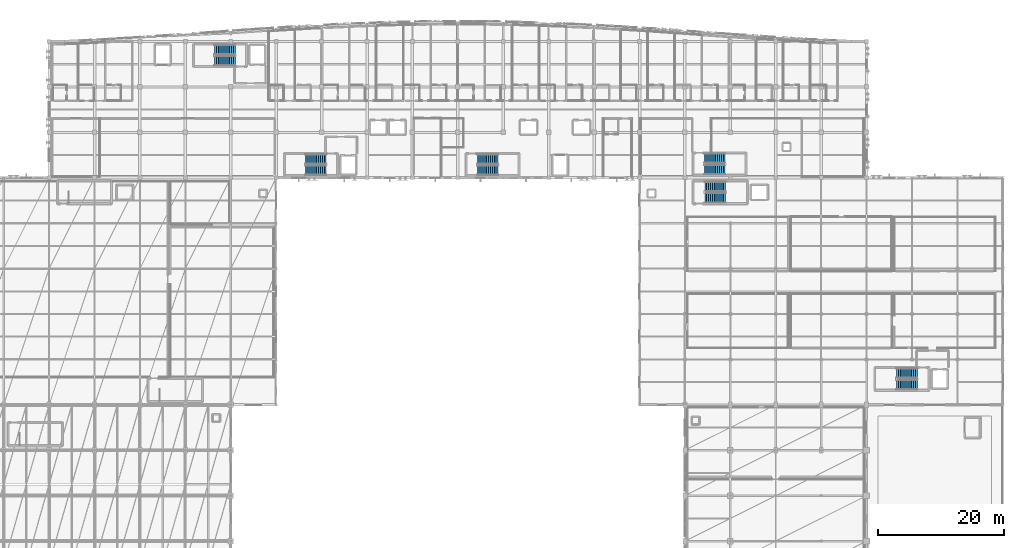
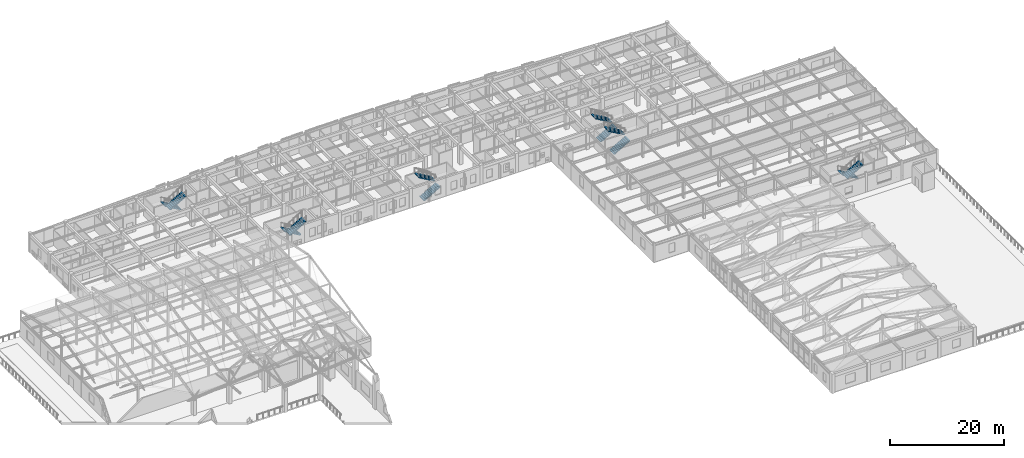
# One storey, part 102 of 113: 12 stair flights, 6 elements without a shape of their own.
"""IFC4 building model written with IfcOpenShell, lengths in metres."""

import ifcopenshell
import ifcopenshell.guid

model = None  # the IFC model being written
_history = None  # IfcOwnerHistory: only IFC2X3 demands one
_inside = {}  # id of a spatial element -> (the spatial element, [elements in it])
_under = {}  # id of a project, library or spatial element -> (it, [spatial elements below it])
_declared = {}  # id of a project -> (the project, [libraries it declares])
_typed = {}  # id of a type object -> (the type object, [elements of that type])
_made_of = {}  # id of a material, layer set ... -> (it, [elements and type objects made of it])


def new_model(schema):
    """Start an empty IFC model of exactly this schema.

    Asked for "IFC4X3", IfcOpenShell would pick the latest addendum, in which some entities
    have other attributes; the version numbers below select the first issue.
    IFC2X3 requires an IfcOwnerHistory on every rooted entity: one is made here for all.
    """
    global model, _history
    if schema == "IFC4X3":
        model = ifcopenshell.file(schema_version=(4, 3, 0, 0))
    else:
        model = ifcopenshell.file(schema=schema)
    _inside.clear()
    _under.clear()
    _declared.clear()
    _typed.clear()
    _made_of.clear()
    _history = None
    if model.schema == "IFC2X3":
        org = make("IfcOrganization", Name="unknown")
        user = make(
            "IfcPersonAndOrganization",
            ThePerson=make("IfcPerson", FamilyName="unknown"),
            TheOrganization=org,
        )
        app = make(
            "IfcApplication",
            ApplicationDeveloper=org,
            Version="unknown",
            ApplicationFullName="unknown",
            ApplicationIdentifier="unknown",
        )
        _history = make(
            "IfcOwnerHistory",
            OwningUser=user,
            OwningApplication=app,
            ChangeAction="ADDED",
            CreationDate=0,
        )
    return model


def make(cls, **values):
    """One entity of the class cls with the attributes given. An attribute that is None is left unset."""
    return model.create_entity(
        cls, **{name: value for name, value in values.items() if value is not None}
    )


def rooted(cls, **values):
    """An entity with a GlobalId (a new one), such as an element, a storey or a relation."""
    return make(cls, GlobalId=ifcopenshell.guid.new(), OwnerHistory=_history, **values)


def si_unit(unit_type, name, prefix=None):
    """IfcSIUnit, for example si_unit("LENGTHUNIT", "METRE", prefix="MILLI")."""
    return make("IfcSIUnit", UnitType=unit_type, Prefix=prefix, Name=name)


def assignment(units):
    """IfcUnitAssignment: the units of a project."""
    return None if units is None else make("IfcUnitAssignment", Units=units)


def point(xyz):
    """IfcCartesianPoint."""
    return None if xyz is None else make("IfcCartesianPoint", Coordinates=xyz)


def direction(xyz):
    """IfcDirection."""
    return None if xyz is None else make("IfcDirection", DirectionRatios=xyz)


def frame(location, z_axis=None, x_axis=None):
    """IfcAxis2Placement3D, a coordinate frame: its origin and axes. An axis left out is left unset."""
    return make(
        "IfcAxis2Placement3D",
        Location=point(location),
        Axis=direction(z_axis),
        RefDirection=direction(x_axis),
    )


def origin():
    """The frame at (0, 0, 0) with its axes left unset."""
    return frame((0.0, 0.0, 0.0))


def place(relative_to, where):
    """IfcLocalPlacement: puts the frame where relative to a parent placement (None: the world)."""
    return make(
        "IfcLocalPlacement", PlacementRelTo=relative_to, RelativePlacement=where
    )


def context(
    kind, dimensions, precision=None, world=None, true_north=None, identifier=None
):
    """IfcGeometricRepresentationContext, for example the 3D "Model" context."""
    return make(
        "IfcGeometricRepresentationContext",
        ContextIdentifier=identifier,
        ContextType=kind,
        CoordinateSpaceDimension=dimensions,
        Precision=precision,
        WorldCoordinateSystem=world,
        TrueNorth=true_north,
    )


def subcontext(parent, identifier, kind, view, scale=None):
    """IfcGeometricRepresentationSubContext, for example "Body" below "Model"."""
    return make(
        "IfcGeometricRepresentationSubContext",
        ContextIdentifier=identifier,
        ContextType=kind,
        ParentContext=parent,
        TargetScale=scale,
        TargetView=view,
    )


def project(units=None, contexts=None):
    """IfcProject with its units and contexts."""
    return rooted(
        "IfcProject",
        Name="project",
        RepresentationContexts=contexts,
        UnitsInContext=assignment(units),
    )


def spatial(cls, under=None, at=None, **own):
    """A site, building, storey or space (cls), placed at a placement, below another one or the project."""
    s = rooted(cls, ObjectPlacement=at, **own)
    if under is not None:
        _under.setdefault(under.id(), (under, []))[1].append(s)
    return s


def polyline(points):
    """IfcPolyline through the points."""
    return make("IfcPolyline", Points=[point(p) for p in points])


def outline(outer, holes=None, kind="AREA"):
    """IfcArbitraryClosedProfileDef: a profile drawn as a closed curve; with holes, ...WithVoids."""
    if holes is None:
        return make("IfcArbitraryClosedProfileDef", ProfileType=kind, OuterCurve=outer)
    return make(
        "IfcArbitraryProfileDefWithVoids",
        ProfileType=kind,
        OuterCurve=outer,
        InnerCurves=holes,
    )


def extrude(swept, where, along, depth):
    """IfcExtrudedAreaSolid: the profile swept, set in the frame where, extruded along a direction by depth."""
    return make(
        "IfcExtrudedAreaSolid",
        SweptArea=swept,
        Position=where,
        ExtrudedDirection=direction(along),
        Depth=depth,
    )


def shape(context_of_items, identifier, shape_type, items):
    """IfcShapeRepresentation: the items that make up one representation, for example the "Body"."""
    return make(
        "IfcShapeRepresentation",
        ContextOfItems=context_of_items,
        RepresentationIdentifier=identifier,
        RepresentationType=shape_type,
        Items=items,
    )


def material(Name=None, Category=None):
    """IfcMaterial."""
    return make("IfcMaterial", Name=Name, Category=Category)


def made_of(thing, what):
    """Note that an element or type object is made of a material, layer set ...; save() writes the relation."""
    if what is not None:
        _made_of.setdefault(what.id(), (what, []))[1].append(thing)
    return thing


def type_object(cls, material=None, **own):
    """A type object (cls), such as IfcWallType, which elements share."""
    return made_of(rooted(cls, **own), material)


def element(
    cls,
    number,
    at=None,
    inside=None,
    cuts=None,
    type_object=None,
    material=None,
    context=None,
    identifier="Body",
    shape_type=None,
    held_by="IfcProductDefinitionShape",
    body=None,
    shapes=None,
    **own,
):
    """One element of the class cls, such as IfcWall. Its Tag is "e" and its number.

    at: its placement. inside: the storey or other place that contains it. cuts: it is an
    opening in that element (IfcRelVoidsElement). A single representation is given by context,
    identifier, shape_type and body (its items); several are given by shapes. held_by: the class
    of the entity that holds the representations. save() writes the other relations.
    """
    e = rooted(cls, Tag="e%d" % number, ObjectPlacement=at, **own)
    if body is not None:
        shapes = [shape(context, identifier, shape_type, body)]
    if shapes is not None:
        e.Representation = make(held_by, Representations=shapes)
    if inside is not None:
        _inside.setdefault(inside.id(), (inside, []))[1].append(e)
    if cuts is not None:
        rooted(
            "IfcRelVoidsElement", RelatingBuildingElement=cuts, RelatedOpeningElement=e
        )
    if type_object is not None:
        _typed.setdefault(type_object.id(), (type_object, []))[1].append(e)
    return made_of(e, material)


def aggregate(whole, parts):
    """IfcRelAggregates: a whole, such as a stair, and the parts it consists of."""
    return rooted("IfcRelAggregates", RelatingObject=whole, RelatedObjects=parts)


def save(model, path):
    """Write the relations noted so far, then the file.

    IfcRelAggregates (storeys below a building ...), IfcRelContainedInSpatialStructure (elements
    in a storey), IfcRelDefinesByType, IfcRelAssociatesMaterial and IfcRelDeclares: one each for
    every whole, place, type object, material and project.
    """
    for whole, parts in _under.values():
        aggregate(whole, parts)
    for where, things in _inside.values():
        rooted(
            "IfcRelContainedInSpatialStructure",
            RelatedElements=things,
            RelatingStructure=where,
        )
    for kind, things in _typed.values():
        rooted("IfcRelDefinesByType", RelatedObjects=things, RelatingType=kind)
    for what, things in _made_of.values():
        rooted("IfcRelAssociatesMaterial", RelatedObjects=things, RelatingMaterial=what)
    for by, libraries in _declared.values():
        rooted("IfcRelDeclares", RelatingContext=by, RelatedDefinitions=libraries)
    model.write(path)


model = new_model("IFC4")

# Units and contexts
model_context = context("Model", 3, precision=1e-05, world=origin(), true_north=direction((0.0, 1.0)))
body_context = subcontext(model_context, "Body", "Model", "MODEL_VIEW")
ifc_project = project(units=[si_unit("LENGTHUNIT", "METRE"), si_unit("AREAUNIT", "SQUARE_METRE"), si_unit("VOLUMEUNIT", "CUBIC_METRE"), si_unit("PLANEANGLEUNIT", "RADIAN"), si_unit("MASSUNIT", "GRAM", prefix="KILO")], contexts=[model_context])

# Site, building, storey
site_placement = place(None, origin())
site = spatial("IfcSite", under=ifc_project, at=site_placement, CompositionType="ELEMENT")
building_placement = place(site_placement, origin())
building = spatial("IfcBuilding", under=site, at=building_placement, Name="Carrowvane Square Congress Hotel", CompositionType="ELEMENT")
storey_placement = place(building_placement, frame((0.0, 0.0, 15.0)))
storey = spatial("IfcBuildingStorey", under=building, at=storey_placement, Name="L03", CompositionType="ELEMENT", Elevation=15.0)

# Stair, stair flights
ifc_material_1 = material(Name="Concrete C35/45", Category="concrete")
stair_type_1 = type_object("IfcStairType", Name="STR-DOG-04", PredefinedType="HALF_TURN_STAIR", material=ifc_material_1)
stair_1_placement = place(storey_placement, origin())
stair_1 = element("IfcStair", 1, at=stair_1_placement, inside=storey, type_object=stair_type_1, Name="L03 Core C1 West Hotel Firefighting Stair", PredefinedType="HALF_TURN_STAIR")
ifc_material_2 = material(Name="Concrete C35/45", Category="concrete")
stair_flight_type_1 = type_object("IfcStairFlightType", Name="SFL-STR-04", PredefinedType="STRAIGHT", material=ifc_material_2)
stair_flight_1_placement = place(storey_placement, frame((62.719970703125, 112.110107421875, 0.0), z_axis=(0.0, 0.0, 1.0), x_axis=(-1.0, 0.0, 0.0)))
stair_flight_1 = element("IfcStairFlight", 2, at=stair_flight_1_placement, type_object=stair_flight_type_1, Name="ST1 flight 1", NumberOfRisers=12, NumberOfTreads=11, PredefinedType="STRAIGHT", RiserHeight=0.175, TreadLength=0.3, context=body_context, shape_type="SweptSolid", body=[
    extrude(outline(polyline([(0.0, 0.0), (0.0, 0.175048828125), (0.300048828125, 0.175048828125), (0.300048828125, 0.35009765625), (0.60009765625, 0.35009765625), (0.60009765625, 0.52490234375), (0.89990234375, 0.52490234375), (0.89990234375, 0.699951171875), (1.199951171875, 0.699951171875), (1.199951171875, 0.875), (1.5, 0.875), (1.5, 1.050048828125), (1.800048828125, 1.050048828125), (1.800048828125, 1.22509765625), (2.10009765625, 1.22509765625), (2.10009765625, 1.39990234375), (2.39990234375, 1.39990234375), (2.39990234375, 1.574951171875), (2.699951171875, 1.574951171875), (2.699951171875, 1.75), (3.0, 1.75), (3.0, 1.925048828125), (3.300048828125, 1.925048828125), (3.300048828125, 2.10009765625), (3.300048828125, 1.75146484375), (0.297607421875, 0.0), (0.0, 0.0)])), frame((0.0, 0.7900390625, 0.0), z_axis=(0.0, -1.0, 0.0), x_axis=(1.0, 0.0, 0.0)), (0.0, 0.0, 1.0), 1.580078125),
])
stair_flight_2_placement = place(storey_placement, frame((59.419921875, 110.330078125, 2.10009765625), z_axis=(0.0, 0.0, 1.0), x_axis=(1.0, 0.0, 0.0)))
stair_flight_2 = element("IfcStairFlight", 3, at=stair_flight_2_placement, type_object=stair_flight_type_1, Name="ST1 flight 2", NumberOfRisers=12, NumberOfTreads=11, PredefinedType="STRAIGHT", RiserHeight=0.175, TreadLength=0.3, context=body_context, shape_type="SweptSolid", body=[
    extrude(outline(polyline([(0.0, 0.0), (0.0, 0.175048828125), (0.300048828125, 0.175048828125), (0.300048828125, 0.35009765625), (0.60009765625, 0.35009765625), (0.60009765625, 0.52490234375), (0.89990234375, 0.52490234375), (0.89990234375, 0.699951171875), (1.199951171875, 0.699951171875), (1.199951171875, 0.875), (1.5, 0.875), (1.5, 1.050048828125), (1.800048828125, 1.050048828125), (1.800048828125, 1.22509765625), (2.10009765625, 1.22509765625), (2.10009765625, 1.39990234375), (2.39990234375, 1.39990234375), (2.39990234375, 1.574951171875), (2.699951171875, 1.574951171875), (2.699951171875, 1.75), (3.0, 1.75), (3.0, 1.925048828125), (3.300048828125, 1.925048828125), (3.300048828125, 2.10009765625), (3.300048828125, 1.75146484375), (0.297607421875, 0.0), (0.0, 0.0)])), frame((0.0, 0.7900390625, 0.0), z_axis=(0.0, -1.0, 0.0), x_axis=(1.0, 0.0, 0.0)), (0.0, 0.0, 1.0), 1.580078125),
])
aggregate(stair_1, [stair_flight_1, stair_flight_2])

stair_2_placement = place(storey_placement, origin())
stair_2 = element("IfcStair", 4, at=stair_2_placement, inside=storey, type_object=stair_type_1, Name="L03 Core C2 Central Hotel Firefighting Stair", PredefinedType="HALF_TURN_STAIR")
stair_flight_3_placement = place(storey_placement, frame((77.1201171875, 94.77001953125, 0.0), z_axis=(0.0, 0.0, 1.0), x_axis=(-1.0, 0.0, 0.0)))
stair_flight_3 = element("IfcStairFlight", 5, at=stair_flight_3_placement, type_object=stair_flight_type_1, Name="ST2 flight 1", NumberOfRisers=12, NumberOfTreads=11, PredefinedType="STRAIGHT", RiserHeight=0.175, TreadLength=0.3, context=body_context, shape_type="SweptSolid", body=[
    extrude(outline(polyline([(0.0, 0.0), (0.0, 0.175048828125), (0.300048828125, 0.175048828125), (0.300048828125, 0.35009765625), (0.60009765625, 0.35009765625), (0.60009765625, 0.52490234375), (0.89990234375, 0.52490234375), (0.89990234375, 0.699951171875), (1.199951171875, 0.699951171875), (1.199951171875, 0.875), (1.5, 0.875), (1.5, 1.050048828125), (1.800048828125, 1.050048828125), (1.800048828125, 1.22509765625), (2.10009765625, 1.22509765625), (2.10009765625, 1.39990234375), (2.39990234375, 1.39990234375), (2.39990234375, 1.574951171875), (2.699951171875, 1.574951171875), (2.699951171875, 1.75), (3.0, 1.75), (3.0, 1.925048828125), (3.300048828125, 1.925048828125), (3.300048828125, 2.10009765625), (3.300048828125, 1.75146484375), (0.297607421875, 0.0), (0.0, 0.0)])), frame((0.0, 0.7900390625, 0.0), z_axis=(0.0, -1.0, 0.0), x_axis=(1.0, 0.0, 0.0)), (0.0, 0.0, 1.0), 1.580078125),
])
stair_flight_4_placement = place(storey_placement, frame((73.820068359375, 92.989990234375, 2.10009765625), z_axis=(0.0, 0.0, 1.0), x_axis=(1.0, 0.0, 0.0)))
stair_flight_4 = element("IfcStairFlight", 6, at=stair_flight_4_placement, type_object=stair_flight_type_1, Name="ST2 flight 2", NumberOfRisers=12, NumberOfTreads=11, PredefinedType="STRAIGHT", RiserHeight=0.175, TreadLength=0.3, context=body_context, shape_type="SweptSolid", body=[
    extrude(outline(polyline([(0.0, 0.0), (0.0, 0.175048828125), (0.300048828125, 0.175048828125), (0.300048828125, 0.35009765625), (0.60009765625, 0.35009765625), (0.60009765625, 0.52490234375), (0.89990234375, 0.52490234375), (0.89990234375, 0.699951171875), (1.199951171875, 0.699951171875), (1.199951171875, 0.875), (1.5, 0.875), (1.5, 1.050048828125), (1.800048828125, 1.050048828125), (1.800048828125, 1.22509765625), (2.10009765625, 1.22509765625), (2.10009765625, 1.39990234375), (2.39990234375, 1.39990234375), (2.39990234375, 1.574951171875), (2.699951171875, 1.574951171875), (2.699951171875, 1.75), (3.0, 1.75), (3.0, 1.925048828125), (3.300048828125, 1.925048828125), (3.300048828125, 2.10009765625), (3.300048828125, 1.75146484375), (0.297607421875, 0.0), (0.0, 0.0)])), frame((0.0, 0.7900390625, 0.0), z_axis=(0.0, -1.0, 0.0), x_axis=(1.0, 0.0, 0.0)), (0.0, 0.0, 1.0), 1.580078125),
])
aggregate(stair_2, [stair_flight_3, stair_flight_4])

stair_3_placement = place(storey_placement, origin())
stair_3 = element("IfcStair", 7, at=stair_3_placement, inside=storey, type_object=stair_type_1, Name="L03 Core C3 East Hotel Escape Stair", PredefinedType="HALF_TURN_STAIR")
stair_flight_5_placement = place(storey_placement, frame((101.080078125, 92.989990234375, 0.0), z_axis=(0.0, 0.0, 1.0), x_axis=(1.0, 0.0, 0.0)))
stair_flight_5 = element("IfcStairFlight", 8, at=stair_flight_5_placement, type_object=stair_flight_type_1, Name="ST3 flight 1", NumberOfRisers=12, NumberOfTreads=11, PredefinedType="STRAIGHT", RiserHeight=0.175, TreadLength=0.3, context=body_context, shape_type="SweptSolid", body=[
    extrude(outline(polyline([(0.0, 0.0), (0.0, 0.175048828125), (0.300048828125, 0.175048828125), (0.300048828125, 0.35009765625), (0.60009765625, 0.35009765625), (0.60009765625, 0.52490234375), (0.89990234375, 0.52490234375), (0.89990234375, 0.699951171875), (1.199951171875, 0.699951171875), (1.199951171875, 0.875), (1.5, 0.875), (1.5, 1.050048828125), (1.800048828125, 1.050048828125), (1.800048828125, 1.22509765625), (2.10009765625, 1.22509765625), (2.10009765625, 1.39990234375), (2.39990234375, 1.39990234375), (2.39990234375, 1.574951171875), (2.699951171875, 1.574951171875), (2.699951171875, 1.75), (3.0, 1.75), (3.0, 1.925048828125), (3.300048828125, 1.925048828125), (3.300048828125, 2.10009765625), (3.300048828125, 1.75146484375), (0.297607421875, 0.0), (0.0, 0.0)])), frame((0.0, 0.7900390625, 0.0), z_axis=(0.0, -1.0, 0.0), x_axis=(1.0, 0.0, 0.0)), (0.0, 0.0, 1.0), 1.580078125),
])
stair_flight_6_placement = place(storey_placement, frame((104.3798828125, 94.77001953125, 2.10009765625), z_axis=(0.0, 0.0, 1.0), x_axis=(-1.0, 0.0, 0.0)))
stair_flight_6 = element("IfcStairFlight", 9, at=stair_flight_6_placement, type_object=stair_flight_type_1, Name="ST3 flight 2", NumberOfRisers=12, NumberOfTreads=11, PredefinedType="STRAIGHT", RiserHeight=0.175, TreadLength=0.3, context=body_context, shape_type="SweptSolid", body=[
    extrude(outline(polyline([(0.0, 0.0), (0.0, 0.175048828125), (0.300048828125, 0.175048828125), (0.300048828125, 0.35009765625), (0.60009765625, 0.35009765625), (0.60009765625, 0.52490234375), (0.89990234375, 0.52490234375), (0.89990234375, 0.699951171875), (1.199951171875, 0.699951171875), (1.199951171875, 0.875), (1.5, 0.875), (1.5, 1.050048828125), (1.800048828125, 1.050048828125), (1.800048828125, 1.22509765625), (2.10009765625, 1.22509765625), (2.10009765625, 1.39990234375), (2.39990234375, 1.39990234375), (2.39990234375, 1.574951171875), (2.699951171875, 1.574951171875), (2.699951171875, 1.75), (3.0, 1.75), (3.0, 1.925048828125), (3.300048828125, 1.925048828125), (3.300048828125, 2.10009765625), (3.300048828125, 1.75146484375), (0.297607421875, 0.0), (0.0, 0.0)])), frame((0.0, 0.7900390625, 0.0), z_axis=(0.0, -1.0, 0.0), x_axis=(1.0, 0.0, 0.0)), (0.0, 0.0, 1.0), 1.580078125),
])
aggregate(stair_3, [stair_flight_5, stair_flight_6])

stair_4_placement = place(storey_placement, origin())
stair_4 = element("IfcStair", 10, at=stair_4_placement, inside=storey, type_object=stair_type_1, Name="L03 East Hotel Wing Escape Stair", PredefinedType="HALF_TURN_STAIR")
stair_flight_7_placement = place(storey_placement, frame((137.080078125, 93.090087890625, 0.0), z_axis=(0.0, 0.0, 1.0), x_axis=(1.0, 0.0, 0.0)))
stair_flight_7 = element("IfcStairFlight", 11, at=stair_flight_7_placement, type_object=stair_flight_type_1, Name="ST12 flight 1", NumberOfRisers=12, NumberOfTreads=11, PredefinedType="STRAIGHT", RiserHeight=0.175, TreadLength=0.3, context=body_context, shape_type="SweptSolid", body=[
    extrude(outline(polyline([(0.0, 0.0), (0.0, 0.175048828125), (0.300048828125, 0.175048828125), (0.300048828125, 0.35009765625), (0.60009765625, 0.35009765625), (0.60009765625, 0.52490234375), (0.89990234375, 0.52490234375), (0.89990234375, 0.699951171875), (1.199951171875, 0.699951171875), (1.199951171875, 0.875), (1.5, 0.875), (1.5, 1.050048828125), (1.800048828125, 1.050048828125), (1.800048828125, 1.22509765625), (2.10009765625, 1.22509765625), (2.10009765625, 1.39990234375), (2.39990234375, 1.39990234375), (2.39990234375, 1.574951171875), (2.699951171875, 1.574951171875), (2.699951171875, 1.75), (3.0, 1.75), (3.0, 1.925048828125), (3.300048828125, 1.925048828125), (3.300048828125, 2.10009765625), (3.300048828125, 1.75146484375), (0.297607421875, 0.0), (0.0, 0.0)])), frame((0.0, 0.7900390625, 0.0), z_axis=(0.0, -1.0, 0.0), x_axis=(1.0, 0.0, 0.0)), (0.0, 0.0, 1.0), 1.580078125),
])
stair_flight_8_placement = place(storey_placement, frame((140.3798828125, 94.8701171875, 2.10009765625), z_axis=(0.0, 0.0, 1.0), x_axis=(-1.0, 0.0, 0.0)))
stair_flight_8 = element("IfcStairFlight", 12, at=stair_flight_8_placement, type_object=stair_flight_type_1, Name="ST12 flight 2", NumberOfRisers=12, NumberOfTreads=11, PredefinedType="STRAIGHT", RiserHeight=0.175, TreadLength=0.3, context=body_context, shape_type="SweptSolid", body=[
    extrude(outline(polyline([(0.0, 0.0), (0.0, 0.175048828125), (0.300048828125, 0.175048828125), (0.300048828125, 0.35009765625), (0.60009765625, 0.35009765625), (0.60009765625, 0.52490234375), (0.89990234375, 0.52490234375), (0.89990234375, 0.699951171875), (1.199951171875, 0.699951171875), (1.199951171875, 0.875), (1.5, 0.875), (1.5, 1.050048828125), (1.800048828125, 1.050048828125), (1.800048828125, 1.22509765625), (2.10009765625, 1.22509765625), (2.10009765625, 1.39990234375), (2.39990234375, 1.39990234375), (2.39990234375, 1.574951171875), (2.699951171875, 1.574951171875), (2.699951171875, 1.75), (3.0, 1.75), (3.0, 1.925048828125), (3.300048828125, 1.925048828125), (3.300048828125, 2.10009765625), (3.300048828125, 1.75146484375), (0.297607421875, 0.0), (0.0, 0.0)])), frame((0.0, 0.7900390625, 0.0), z_axis=(0.0, -1.0, 0.0), x_axis=(1.0, 0.0, 0.0)), (0.0, 0.0, 1.0), 1.580078125),
])
aggregate(stair_4, [stair_flight_7, stair_flight_8])

ifc_material_3 = material(Name="Concrete C35/45", Category="concrete")
stair_type_2 = type_object("IfcStairType", Name="STR-DOG-08", PredefinedType="HALF_TURN_STAIR", material=ifc_material_3)
stair_5_placement = place(storey_placement, origin())
stair_5 = element("IfcStair", 13, at=stair_5_placement, inside=storey, type_object=stair_type_2, Name="L03 Core C4 East Congress Firefighting Stair", PredefinedType="HALF_TURN_STAIR")
ifc_material_4 = material(Name="Concrete C35/45", Category="concrete")
stair_flight_type_2 = type_object("IfcStairFlightType", Name="SFL-STR-08", PredefinedType="STRAIGHT", material=ifc_material_4)
stair_flight_9_placement = place(storey_placement, frame((170.85009765625, 60.800048828125, 0.0), z_axis=(0.0, 0.0, 1.0), x_axis=(-1.0, 0.0, 0.0)))
stair_flight_9 = element("IfcStairFlight", 14, at=stair_flight_9_placement, type_object=stair_flight_type_2, Name="ST4 flight 1", NumberOfRisers=12, NumberOfTreads=11, PredefinedType="STRAIGHT", RiserHeight=0.175, TreadLength=0.3, context=body_context, shape_type="SweptSolid", body=[
    extrude(outline(polyline([(0.0, 0.0), (0.0, 0.175048828125), (0.300048828125, 0.175048828125), (0.300048828125, 0.35009765625), (0.60009765625, 0.35009765625), (0.60009765625, 0.52490234375), (0.89990234375, 0.52490234375), (0.89990234375, 0.699951171875), (1.199951171875, 0.699951171875), (1.199951171875, 0.875), (1.5, 0.875), (1.5, 1.050048828125), (1.800048828125, 1.050048828125), (1.800048828125, 1.22509765625), (2.10009765625, 1.22509765625), (2.10009765625, 1.39990234375), (2.39990234375, 1.39990234375), (2.39990234375, 1.574951171875), (2.699951171875, 1.574951171875), (2.699951171875, 1.75), (3.0, 1.75), (3.0, 1.925048828125), (3.300048828125, 1.925048828125), (3.300048828125, 2.10009765625), (3.300048828125, 1.75146484375), (0.297607421875, 0.0), (0.0, 0.0)])), frame((0.0, 0.800048828125, 0.0), z_axis=(0.0, -1.0, 0.0), x_axis=(1.0, 0.0, 0.0)), (0.0, 0.0, 1.0), 1.60009765625),
])
stair_flight_10_placement = place(storey_placement, frame((167.550048828125, 59.0, 2.10009765625), z_axis=(0.0, 0.0, 1.0), x_axis=(1.0, 0.0, 0.0)))
stair_flight_10 = element("IfcStairFlight", 15, at=stair_flight_10_placement, type_object=stair_flight_type_2, Name="ST4 flight 2", NumberOfRisers=12, NumberOfTreads=11, PredefinedType="STRAIGHT", RiserHeight=0.175, TreadLength=0.3, context=body_context, shape_type="SweptSolid", body=[
    extrude(outline(polyline([(0.0, 0.0), (0.0, 0.175048828125), (0.300048828125, 0.175048828125), (0.300048828125, 0.35009765625), (0.60009765625, 0.35009765625), (0.60009765625, 0.52490234375), (0.89990234375, 0.52490234375), (0.89990234375, 0.699951171875), (1.199951171875, 0.699951171875), (1.199951171875, 0.875), (1.5, 0.875), (1.5, 1.050048828125), (1.800048828125, 1.050048828125), (1.800048828125, 1.22509765625), (2.10009765625, 1.22509765625), (2.10009765625, 1.39990234375), (2.39990234375, 1.39990234375), (2.39990234375, 1.574951171875), (2.699951171875, 1.574951171875), (2.699951171875, 1.75), (3.0, 1.75), (3.0, 1.925048828125), (3.300048828125, 1.925048828125), (3.300048828125, 2.10009765625), (3.300048828125, 1.75146484375), (0.297607421875, 0.0), (0.0, 0.0)])), frame((0.0, 0.800048828125, 0.0), z_axis=(0.0, -1.0, 0.0), x_axis=(1.0, 0.0, 0.0)), (0.0, 0.0, 1.0), 1.60009765625),
])
aggregate(stair_5, [stair_flight_9, stair_flight_10])

stair_6_placement = place(storey_placement, origin())
stair_6 = element("IfcStair", 16, at=stair_6_placement, inside=storey, type_object=stair_type_2, Name="L03 Meeting Wing Escape Stair", PredefinedType="HALF_TURN_STAIR")
stair_flight_11_placement = place(storey_placement, frame((137.14990234375, 88.60009765625, 0.0), z_axis=(0.0, 0.0, 1.0), x_axis=(1.0, 0.0, 0.0)))
stair_flight_11 = element("IfcStairFlight", 17, at=stair_flight_11_placement, type_object=stair_flight_type_2, Name="ST8 flight 1", NumberOfRisers=12, NumberOfTreads=11, PredefinedType="STRAIGHT", RiserHeight=0.175, TreadLength=0.3, context=body_context, shape_type="SweptSolid", body=[
    extrude(outline(polyline([(0.0, 0.0), (0.0, 0.175048828125), (0.300048828125, 0.175048828125), (0.300048828125, 0.35009765625), (0.60009765625, 0.35009765625), (0.60009765625, 0.52490234375), (0.89990234375, 0.52490234375), (0.89990234375, 0.699951171875), (1.199951171875, 0.699951171875), (1.199951171875, 0.875), (1.5, 0.875), (1.5, 1.050048828125), (1.800048828125, 1.050048828125), (1.800048828125, 1.22509765625), (2.10009765625, 1.22509765625), (2.10009765625, 1.39990234375), (2.39990234375, 1.39990234375), (2.39990234375, 1.574951171875), (2.699951171875, 1.574951171875), (2.699951171875, 1.75), (3.0, 1.75), (3.0, 1.925048828125), (3.300048828125, 1.925048828125), (3.300048828125, 2.10009765625), (3.300048828125, 1.75146484375), (0.297607421875, 0.0), (0.0, 0.0)])), frame((0.0, 0.800048828125, 0.0), z_axis=(0.0, -1.0, 0.0), x_axis=(1.0, 0.0, 0.0)), (0.0, 0.0, 1.0), 1.60009765625),
])
stair_flight_12_placement = place(storey_placement, frame((140.449951171875, 90.39990234375, 2.10009765625), z_axis=(0.0, 0.0, 1.0), x_axis=(-1.0, 0.0, 0.0)))
stair_flight_12 = element("IfcStairFlight", 18, at=stair_flight_12_placement, type_object=stair_flight_type_2, Name="ST8 flight 2", NumberOfRisers=12, NumberOfTreads=11, PredefinedType="STRAIGHT", RiserHeight=0.175, TreadLength=0.3, context=body_context, shape_type="SweptSolid", body=[
    extrude(outline(polyline([(0.0, 0.0), (0.0, 0.175048828125), (0.300048828125, 0.175048828125), (0.300048828125, 0.35009765625), (0.60009765625, 0.35009765625), (0.60009765625, 0.52490234375), (0.89990234375, 0.52490234375), (0.89990234375, 0.699951171875), (1.199951171875, 0.699951171875), (1.199951171875, 0.875), (1.5, 0.875), (1.5, 1.050048828125), (1.800048828125, 1.050048828125), (1.800048828125, 1.22509765625), (2.10009765625, 1.22509765625), (2.10009765625, 1.39990234375), (2.39990234375, 1.39990234375), (2.39990234375, 1.574951171875), (2.699951171875, 1.574951171875), (2.699951171875, 1.75), (3.0, 1.75), (3.0, 1.925048828125), (3.300048828125, 1.925048828125), (3.300048828125, 2.10009765625), (3.300048828125, 1.75146484375), (0.297607421875, 0.0), (0.0, 0.0)])), frame((0.0, 0.800048828125, 0.0), z_axis=(0.0, -1.0, 0.0), x_axis=(1.0, 0.0, 0.0)), (0.0, 0.0, 1.0), 1.60009765625),
])
aggregate(stair_6, [stair_flight_11, stair_flight_12])

save(model, "model.ifc")
